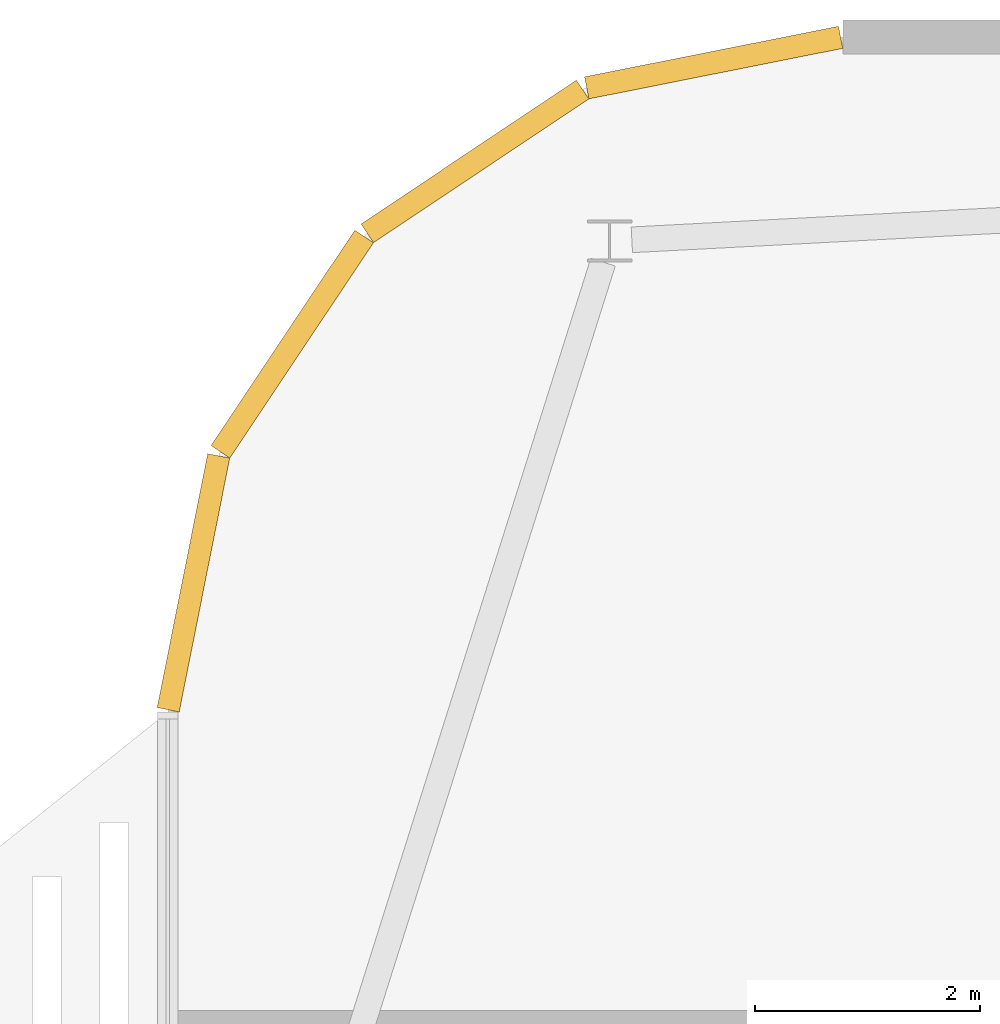
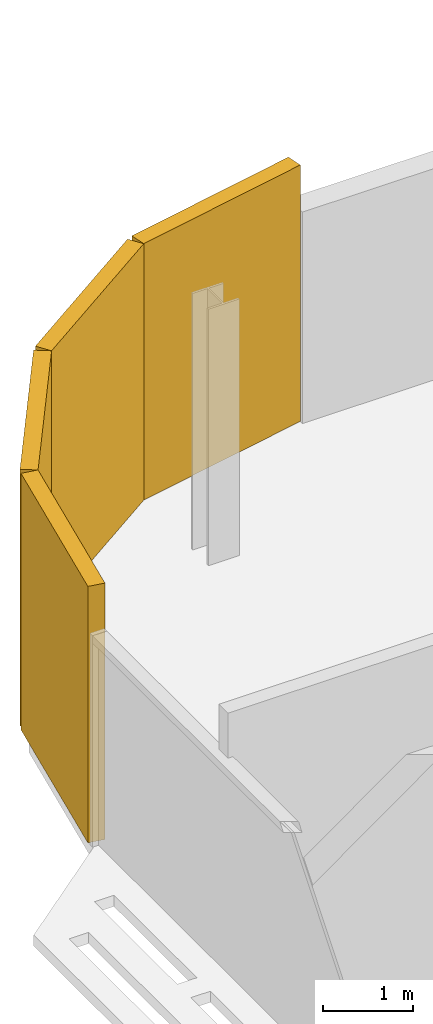
# One storey, part 26 of 28: 4 coverings.
"""IFC4 building model written with IfcOpenShell, lengths in metres."""

from ifc_helpers import new_model, si_unit, direction, frame, origin, origin_2d, place, context, subcontext, project, spatial, rectangle, extrude, material, layer, layer_set, type_object, element, save


model = new_model("IFC4")

# Units and contexts
model_context = context("Model", 3, precision=1e-05, world=origin(), true_north=direction((0.0, 1.0)))
body_context = subcontext(model_context, "Body", "Model", "MODEL_VIEW")
ifc_project = project(units=[si_unit("LENGTHUNIT", "METRE"), si_unit("AREAUNIT", "SQUARE_METRE"), si_unit("VOLUMEUNIT", "CUBIC_METRE"), si_unit("PLANEANGLEUNIT", "RADIAN"), si_unit("MASSUNIT", "GRAM", prefix="KILO")], contexts=[model_context])

# Site, building, storey
site_placement = place(None, origin())
site = spatial("IfcSite", under=ifc_project, at=site_placement, CompositionType="ELEMENT")
building_placement = place(site_placement, origin())
building = spatial("IfcBuilding", under=site, at=building_placement, Name="Mahtab Terrace Research Tower", CompositionType="ELEMENT")
storey_placement = place(building_placement, frame((0.0, 0.0, 267.10009765625)))
storey = spatial("IfcBuildingStorey", under=building, at=storey_placement, Name="L65", CompositionType="ELEMENT", Elevation=267.10009765625)

# Coverings
ifc_material = material(Name="Black aluminium cladding panel", Category="aluminium")
ifc_layer = layer(ifc_material, 0.199951171875)
ifc_layer_set = layer_set([ifc_layer], Name="Black metal corner cladding 200")
covering_type = type_object("IfcCoveringType", Name="Black metal corner cladding 200", PredefinedType="CLADDING", material=ifc_layer_set)
for number, where, z_axis, x_axis, name in (
    (1, (-43.14794921875, 25.5224609375, 0.0), (0.0, 0.0, 1.0), (-0.980760981187, -0.195212442692, 0.0), "Corner cladding L65 4"),
    (2, (-45.26953125, 24.64404296875, 0.0), (0.0, 0.0, 1.0), (-0.831655794326, -0.555291490808, 0.0), "Corner cladding L65 5"),
    (3, (-46.89306640625, 23.0205078125, 0.0), (0.0, 0.0, 1.0), (-0.555291490808, -0.831655794326, 0.0), "Corner cladding L65 6"),
    (4, (-47.771484375, 20.89892578125, 0.0), (0.0, 0.0, 1.0), (-0.195212442692, -0.980760981187, 0.0), "Corner cladding L65 7"),
):
    element("IfcCovering", number, at=place(storey_placement, frame(where, z_axis=z_axis, x_axis=x_axis)), inside=storey, type_object=covering_type, Name=name, PredefinedType="CLADDING", context=body_context, shape_type="SweptSolid", body=[
        extrude(rectangle(XDim=2.30126953125, YDim=0.199951171875, at=origin_2d()), origin(), (0.0, 0.0, 1.0), 3.4599609375),
    ])

save(model, "model.ifc")
